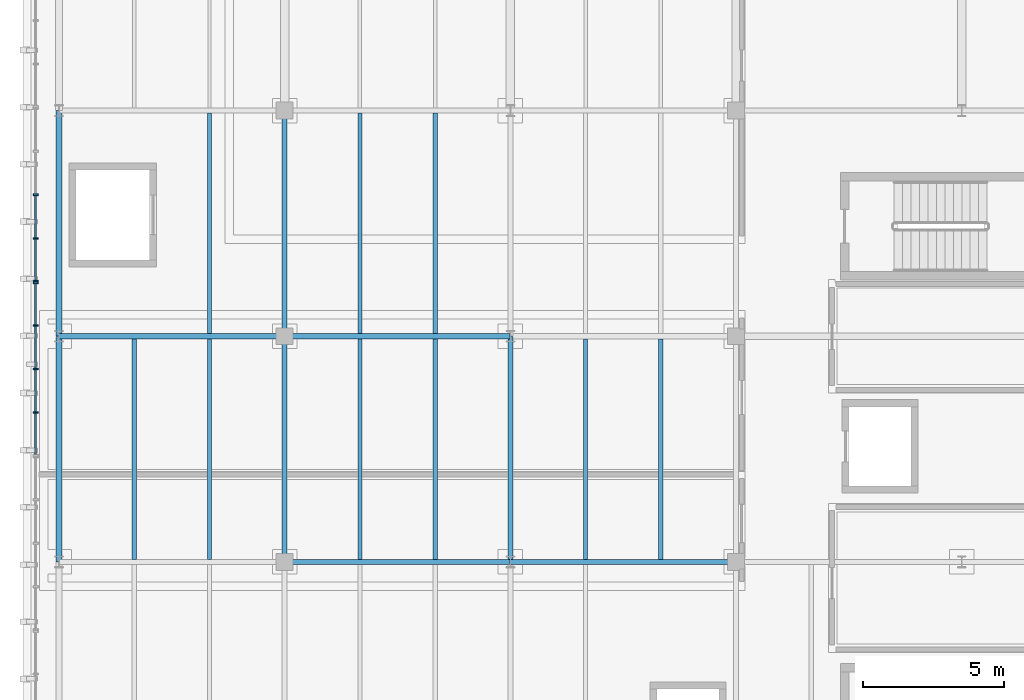
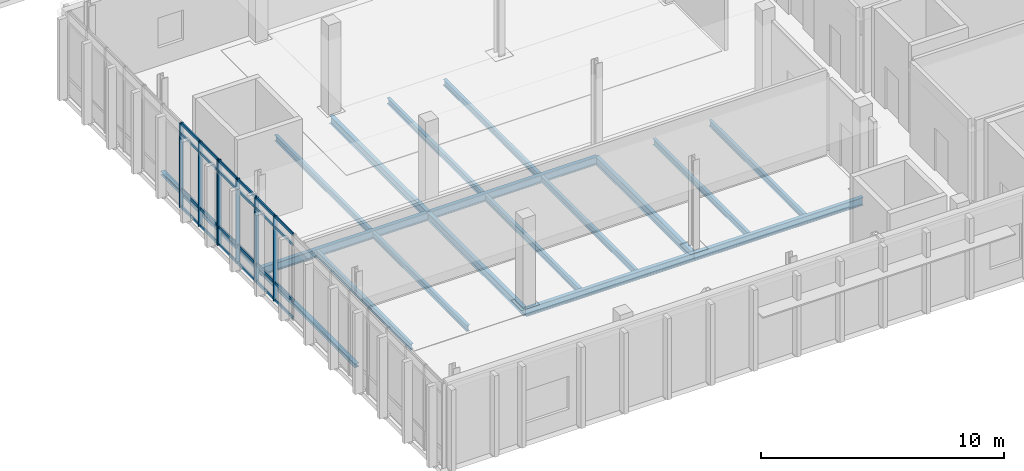
# One storey, part 17 of 86: 31 members, 18 beams, 2 elements without a shape of their own.
"""IFC4 building model written with IfcOpenShell, lengths in metres."""

from ifc_helpers import new_model, si_unit, direction, frame, origin, origin_2d, place, context, subcontext, project, spatial, rectangle, i_section, extrude, material, material_profile, profile_set, type_object, element, aggregate, save


model = new_model("IFC4")

# Units and contexts
model_context = context("Model", 3, precision=1e-05, world=origin(), true_north=direction((0.0, 1.0)))
body_context = subcontext(model_context, "Body", "Model", "MODEL_VIEW")
ifc_project = project(units=[si_unit("LENGTHUNIT", "METRE"), si_unit("AREAUNIT", "SQUARE_METRE"), si_unit("VOLUMEUNIT", "CUBIC_METRE"), si_unit("PLANEANGLEUNIT", "RADIAN"), si_unit("MASSUNIT", "GRAM", prefix="KILO")], contexts=[model_context])

# Site, building, storey
site_placement = place(None, origin())
site = spatial("IfcSite", under=ifc_project, at=site_placement, CompositionType="ELEMENT")
building_placement = place(site_placement, origin())
building = spatial("IfcBuilding", under=site, at=building_placement, Name="Cymarion Research Institute", CompositionType="ELEMENT")
storey_placement = place(building_placement, frame((0.0, 0.0, 13.800048828125)))
storey = spatial("IfcBuildingStorey", under=building, at=storey_placement, Name="L03", CompositionType="ELEMENT", Elevation=13.800048828125)

# Curtain wall, members
ifc_material_1 = material(Name="Anodised aluminium unitised curtain wall with Low-E glazing", Category="aluminium")
curtain_wall_type = type_object("IfcCurtainWallType", Name="UNITISED CURTAIN WALL CW22 6180X4250", PredefinedType="NOTDEFINED", material=ifc_material_1)
curtain_wall_1_placement = place(storey_placement, origin())
curtain_wall_1 = element("IfcCurtainWall", 1, at=curtain_wall_1_placement, inside=storey, type_object=curtain_wall_type, Name="L03 V4 unitised curtain wall CW22 #158", PredefinedType="NOTDEFINED")
ifc_material_2 = material(Name="Anodised aluminium framing", Category="aluminium")
ifc_material_profile_1 = material_profile(ifc_material_2, rectangle(XDim=0.06005859375, YDim=0.179931640625, at=origin_2d()), Name="ALU MULLION 60x180")
ifc_profile_set_1 = profile_set([ifc_material_profile_1], Name="Anodised aluminium framing")
member_type_1 = type_object("IfcMemberType", Name="CURTAIN WALL MULLION ML01 60X180", PredefinedType="MULLION", material=ifc_profile_set_1)
member_1_placement = place(storey_placement, frame((5.77001953125, 68.5146484375, 0.0), z_axis=(0.0, 0.0, 1.0), x_axis=(0.0, -1.0, 0.0)))
member_1 = element("IfcMember", 2, at=member_1_placement, type_object=member_type_1, Name="CW22 mullion 3", PredefinedType="MULLION", context=body_context, shape_type="SweptSolid", body=[
    extrude(rectangle(XDim=0.06005859375, YDim=0.179931640625, at=origin_2d()), origin(), (0.0, 0.0, 1.0), 4.25),
])
member_2_placement = place(storey_placement, frame((5.77001953125, 66.970703125, 0.0), z_axis=(0.0, 0.0, 1.0), x_axis=(0.0, -1.0, 0.0)))
member_2 = element("IfcMember", 3, at=member_2_placement, type_object=member_type_1, Name="CW22 mullion 4", PredefinedType="MULLION", context=body_context, shape_type="SweptSolid", body=[
    extrude(rectangle(XDim=0.06005859375, YDim=0.179931640625, at=origin_2d()), origin(), (0.0, 0.0, 1.0), 4.25),
])
member_3_placement = place(storey_placement, frame((5.77001953125, 65.456787109375, 0.0), z_axis=(0.0, 0.0, 1.0), x_axis=(0.0, -1.0, 0.0)))
member_3 = element("IfcMember", 4, at=member_3_placement, type_object=member_type_1, Name="CW22 mullion 5", PredefinedType="MULLION", context=body_context, shape_type="SweptSolid", body=[
    extrude(rectangle(XDim=0.06005859375, YDim=0.179931640625, at=origin_2d()), origin(), (0.0, 0.0, 1.0), 4.25),
])

curtain_wall_2_placement = place(storey_placement, origin())
curtain_wall_2 = element("IfcCurtainWall", 5, at=curtain_wall_2_placement, inside=storey, type_object=curtain_wall_type, Name="L03 V4 unitised curtain wall CW22 #159", PredefinedType="NOTDEFINED")
member_4_placement = place(storey_placement, frame((5.77001953125, 65.396728515625, 0.0), z_axis=(0.0, 0.0, 1.0), x_axis=(0.0, -1.0, 0.0)))
member_4 = element("IfcMember", 6, at=member_4_placement, type_object=member_type_1, Name="CW22 mullion 1", PredefinedType="MULLION", context=body_context, shape_type="SweptSolid", body=[
    extrude(rectangle(XDim=0.06005859375, YDim=0.179931640625, at=origin_2d()), origin(), (0.0, 0.0, 1.0), 4.25),
])
member_5_placement = place(storey_placement, frame((5.77001953125, 63.8828125, 0.0), z_axis=(0.0, 0.0, 1.0), x_axis=(0.0, -1.0, 0.0)))
member_5 = element("IfcMember", 7, at=member_5_placement, type_object=member_type_1, Name="CW22 mullion 2", PredefinedType="MULLION", context=body_context, shape_type="SweptSolid", body=[
    extrude(rectangle(XDim=0.06005859375, YDim=0.179931640625, at=origin_2d()), origin(), (0.0, 0.0, 1.0), 4.25),
])
member_6_placement = place(storey_placement, frame((5.77001953125, 62.339111328125, 0.0), z_axis=(0.0, 0.0, 1.0), x_axis=(0.0, -1.0, 0.0)))
member_6 = element("IfcMember", 8, at=member_6_placement, type_object=member_type_1, Name="CW22 mullion 3", PredefinedType="MULLION", context=body_context, shape_type="SweptSolid", body=[
    extrude(rectangle(XDim=0.06005859375, YDim=0.179931640625, at=origin_2d()), origin(), (0.0, 0.0, 1.0), 4.25),
])
member_7_placement = place(storey_placement, frame((5.77001953125, 60.795166015625, 0.0), z_axis=(0.0, 0.0, 1.0), x_axis=(0.0, -1.0, 0.0)))
member_7 = element("IfcMember", 9, at=member_7_placement, type_object=member_type_1, Name="CW22 mullion 4", PredefinedType="MULLION", context=body_context, shape_type="SweptSolid", body=[
    extrude(rectangle(XDim=0.06005859375, YDim=0.179931640625, at=origin_2d()), origin(), (0.0, 0.0, 1.0), 4.25),
])

# Member
ifc_material_profile_2 = material_profile(ifc_material_2, rectangle(XDim=0.06005859375, YDim=0.14990234375, at=origin_2d()), Name="ALU TRANSOM 60x150")
ifc_profile_set_2 = profile_set([ifc_material_profile_2], Name="Anodised aluminium framing")
member_type_2 = type_object("IfcMemberType", Name="CURTAIN WALL TRANSOM TR01 60X150", PredefinedType="USERDEFINED", material=ifc_profile_set_2)
member_8_placement = place(storey_placement, frame((5.77001953125, 68.484619140625, 0.030029296875), z_axis=(0.0, -1.0, 0.0), x_axis=(1.0, 0.0, 0.0)))
member_8 = element("IfcMember", 10, at=member_8_placement, type_object=member_type_2, Name="CW22 transom 3.1", ObjectType="TRANSOM", PredefinedType="USERDEFINED", context=body_context, shape_type="SweptSolid", body=[
    extrude(rectangle(XDim=0.06005859375, YDim=0.14990234375, at=origin_2d()), origin(), (0.0, 0.0, 1.0), 1.48388671875),
])

member_9_placement = place(storey_placement, frame((5.77001953125, 68.484619140625, 0.89990234375), z_axis=(0.0, -1.0, 0.0), x_axis=(1.0, 0.0, 0.0)))
member_9 = element("IfcMember", 11, at=member_9_placement, type_object=member_type_2, Name="CW22 transom 3.2", ObjectType="TRANSOM", PredefinedType="USERDEFINED", context=body_context, shape_type="SweptSolid", body=[
    extrude(rectangle(XDim=0.06005859375, YDim=0.14990234375, at=origin_2d()), origin(), (0.0, 0.0, 1.0), 1.48388671875),
])

member_10_placement = place(storey_placement, frame((5.77001953125, 68.484619140625, 3.699951171875), z_axis=(0.0, -1.0, 0.0), x_axis=(1.0, 0.0, 0.0)))
member_10 = element("IfcMember", 12, at=member_10_placement, type_object=member_type_2, Name="CW22 transom 3.3", ObjectType="TRANSOM", PredefinedType="USERDEFINED", context=body_context, shape_type="SweptSolid", body=[
    extrude(rectangle(XDim=0.06005859375, YDim=0.14990234375, at=origin_2d()), origin(), (0.0, 0.0, 1.0), 1.48388671875),
])

member_11_placement = place(storey_placement, frame((5.77001953125, 68.484619140625, 4.219970703125), z_axis=(0.0, -1.0, 0.0), x_axis=(1.0, 0.0, 0.0)))
member_11 = element("IfcMember", 13, at=member_11_placement, type_object=member_type_2, Name="CW22 transom 3.4", ObjectType="TRANSOM", PredefinedType="USERDEFINED", context=body_context, shape_type="SweptSolid", body=[
    extrude(rectangle(XDim=0.06005859375, YDim=0.14990234375, at=origin_2d()), origin(), (0.0, 0.0, 1.0), 1.48388671875),
])

member_12_placement = place(storey_placement, frame((5.77001953125, 66.940673828125, 0.030029296875), z_axis=(0.0, -1.0, 0.0), x_axis=(1.0, 0.0, 0.0)))
member_12 = element("IfcMember", 14, at=member_12_placement, type_object=member_type_2, Name="CW22 transom 4.1", ObjectType="TRANSOM", PredefinedType="USERDEFINED", context=body_context, shape_type="SweptSolid", body=[
    extrude(rectangle(XDim=0.06005859375, YDim=0.14990234375, at=origin_2d()), origin(), (0.0, 0.0, 1.0), 1.453857421875),
])

member_13_placement = place(storey_placement, frame((5.77001953125, 66.940673828125, 0.89990234375), z_axis=(0.0, -1.0, 0.0), x_axis=(1.0, 0.0, 0.0)))
member_13 = element("IfcMember", 15, at=member_13_placement, type_object=member_type_2, Name="CW22 transom 4.2", ObjectType="TRANSOM", PredefinedType="USERDEFINED", context=body_context, shape_type="SweptSolid", body=[
    extrude(rectangle(XDim=0.06005859375, YDim=0.14990234375, at=origin_2d()), origin(), (0.0, 0.0, 1.0), 1.453857421875),
])

member_14_placement = place(storey_placement, frame((5.77001953125, 66.940673828125, 3.699951171875), z_axis=(0.0, -1.0, 0.0), x_axis=(1.0, 0.0, 0.0)))
member_14 = element("IfcMember", 16, at=member_14_placement, type_object=member_type_2, Name="CW22 transom 4.3", ObjectType="TRANSOM", PredefinedType="USERDEFINED", context=body_context, shape_type="SweptSolid", body=[
    extrude(rectangle(XDim=0.06005859375, YDim=0.14990234375, at=origin_2d()), origin(), (0.0, 0.0, 1.0), 1.453857421875),
])

member_15_placement = place(storey_placement, frame((5.77001953125, 66.940673828125, 4.219970703125), z_axis=(0.0, -1.0, 0.0), x_axis=(1.0, 0.0, 0.0)))
member_15 = element("IfcMember", 17, at=member_15_placement, type_object=member_type_2, Name="CW22 transom 4.4", ObjectType="TRANSOM", PredefinedType="USERDEFINED", context=body_context, shape_type="SweptSolid", body=[
    extrude(rectangle(XDim=0.06005859375, YDim=0.14990234375, at=origin_2d()), origin(), (0.0, 0.0, 1.0), 1.453857421875),
])

aggregate(curtain_wall_1, [member_1, member_2, member_3, member_8, member_9, member_10, member_11, member_12, member_13, member_14, member_15])

member_16_placement = place(storey_placement, frame((5.77001953125, 65.36669921875, 0.030029296875), z_axis=(0.0, -1.0, 0.0), x_axis=(1.0, 0.0, 0.0)))
member_16 = element("IfcMember", 18, at=member_16_placement, type_object=member_type_2, Name="CW22 transom 1.1", ObjectType="TRANSOM", PredefinedType="USERDEFINED", context=body_context, shape_type="SweptSolid", body=[
    extrude(rectangle(XDim=0.06005859375, YDim=0.14990234375, at=origin_2d()), origin(), (0.0, 0.0, 1.0), 1.453857421875),
])

member_17_placement = place(storey_placement, frame((5.77001953125, 65.36669921875, 0.89990234375), z_axis=(0.0, -1.0, 0.0), x_axis=(1.0, 0.0, 0.0)))
member_17 = element("IfcMember", 19, at=member_17_placement, type_object=member_type_2, Name="CW22 transom 1.2", ObjectType="TRANSOM", PredefinedType="USERDEFINED", context=body_context, shape_type="SweptSolid", body=[
    extrude(rectangle(XDim=0.06005859375, YDim=0.14990234375, at=origin_2d()), origin(), (0.0, 0.0, 1.0), 1.453857421875),
])

member_18_placement = place(storey_placement, frame((5.77001953125, 65.36669921875, 3.699951171875), z_axis=(0.0, -1.0, 0.0), x_axis=(1.0, 0.0, 0.0)))
member_18 = element("IfcMember", 20, at=member_18_placement, type_object=member_type_2, Name="CW22 transom 1.3", ObjectType="TRANSOM", PredefinedType="USERDEFINED", context=body_context, shape_type="SweptSolid", body=[
    extrude(rectangle(XDim=0.06005859375, YDim=0.14990234375, at=origin_2d()), origin(), (0.0, 0.0, 1.0), 1.453857421875),
])

member_19_placement = place(storey_placement, frame((5.77001953125, 65.36669921875, 4.219970703125), z_axis=(0.0, -1.0, 0.0), x_axis=(1.0, 0.0, 0.0)))
member_19 = element("IfcMember", 21, at=member_19_placement, type_object=member_type_2, Name="CW22 transom 1.4", ObjectType="TRANSOM", PredefinedType="USERDEFINED", context=body_context, shape_type="SweptSolid", body=[
    extrude(rectangle(XDim=0.06005859375, YDim=0.14990234375, at=origin_2d()), origin(), (0.0, 0.0, 1.0), 1.453857421875),
])

member_20_placement = place(storey_placement, frame((5.77001953125, 63.852783203125, 0.030029296875), z_axis=(0.0, -1.0, 0.0), x_axis=(1.0, 0.0, 0.0)))
member_20 = element("IfcMember", 22, at=member_20_placement, type_object=member_type_2, Name="CW22 transom 2.1", ObjectType="TRANSOM", PredefinedType="USERDEFINED", context=body_context, shape_type="SweptSolid", body=[
    extrude(rectangle(XDim=0.06005859375, YDim=0.14990234375, at=origin_2d()), origin(), (0.0, 0.0, 1.0), 1.48388671875),
])

member_21_placement = place(storey_placement, frame((5.77001953125, 63.852783203125, 0.89990234375), z_axis=(0.0, -1.0, 0.0), x_axis=(1.0, 0.0, 0.0)))
member_21 = element("IfcMember", 23, at=member_21_placement, type_object=member_type_2, Name="CW22 transom 2.2", ObjectType="TRANSOM", PredefinedType="USERDEFINED", context=body_context, shape_type="SweptSolid", body=[
    extrude(rectangle(XDim=0.06005859375, YDim=0.14990234375, at=origin_2d()), origin(), (0.0, 0.0, 1.0), 1.48388671875),
])

member_22_placement = place(storey_placement, frame((5.77001953125, 63.852783203125, 3.699951171875), z_axis=(0.0, -1.0, 0.0), x_axis=(1.0, 0.0, 0.0)))
member_22 = element("IfcMember", 24, at=member_22_placement, type_object=member_type_2, Name="CW22 transom 2.3", ObjectType="TRANSOM", PredefinedType="USERDEFINED", context=body_context, shape_type="SweptSolid", body=[
    extrude(rectangle(XDim=0.06005859375, YDim=0.14990234375, at=origin_2d()), origin(), (0.0, 0.0, 1.0), 1.48388671875),
])

member_23_placement = place(storey_placement, frame((5.77001953125, 63.852783203125, 4.219970703125), z_axis=(0.0, -1.0, 0.0), x_axis=(1.0, 0.0, 0.0)))
member_23 = element("IfcMember", 25, at=member_23_placement, type_object=member_type_2, Name="CW22 transom 2.4", ObjectType="TRANSOM", PredefinedType="USERDEFINED", context=body_context, shape_type="SweptSolid", body=[
    extrude(rectangle(XDim=0.06005859375, YDim=0.14990234375, at=origin_2d()), origin(), (0.0, 0.0, 1.0), 1.48388671875),
])

member_24_placement = place(storey_placement, frame((5.77001953125, 62.30908203125, 0.030029296875), z_axis=(0.0, -1.0, 0.0), x_axis=(1.0, 0.0, 0.0)))
member_24 = element("IfcMember", 26, at=member_24_placement, type_object=member_type_2, Name="CW22 transom 3.1", ObjectType="TRANSOM", PredefinedType="USERDEFINED", context=body_context, shape_type="SweptSolid", body=[
    extrude(rectangle(XDim=0.06005859375, YDim=0.14990234375, at=origin_2d()), origin(), (0.0, 0.0, 1.0), 1.48388671875),
])

member_25_placement = place(storey_placement, frame((5.77001953125, 62.30908203125, 0.89990234375), z_axis=(0.0, -1.0, 0.0), x_axis=(1.0, 0.0, 0.0)))
member_25 = element("IfcMember", 27, at=member_25_placement, type_object=member_type_2, Name="CW22 transom 3.2", ObjectType="TRANSOM", PredefinedType="USERDEFINED", context=body_context, shape_type="SweptSolid", body=[
    extrude(rectangle(XDim=0.06005859375, YDim=0.14990234375, at=origin_2d()), origin(), (0.0, 0.0, 1.0), 1.48388671875),
])

member_26_placement = place(storey_placement, frame((5.77001953125, 62.30908203125, 3.699951171875), z_axis=(0.0, -1.0, 0.0), x_axis=(1.0, 0.0, 0.0)))
member_26 = element("IfcMember", 28, at=member_26_placement, type_object=member_type_2, Name="CW22 transom 3.3", ObjectType="TRANSOM", PredefinedType="USERDEFINED", context=body_context, shape_type="SweptSolid", body=[
    extrude(rectangle(XDim=0.06005859375, YDim=0.14990234375, at=origin_2d()), origin(), (0.0, 0.0, 1.0), 1.48388671875),
])

member_27_placement = place(storey_placement, frame((5.77001953125, 62.30908203125, 4.219970703125), z_axis=(0.0, -1.0, 0.0), x_axis=(1.0, 0.0, 0.0)))
member_27 = element("IfcMember", 29, at=member_27_placement, type_object=member_type_2, Name="CW22 transom 3.4", ObjectType="TRANSOM", PredefinedType="USERDEFINED", context=body_context, shape_type="SweptSolid", body=[
    extrude(rectangle(XDim=0.06005859375, YDim=0.14990234375, at=origin_2d()), origin(), (0.0, 0.0, 1.0), 1.48388671875),
])

member_28_placement = place(storey_placement, frame((5.77001953125, 60.76513671875, 0.030029296875), z_axis=(0.0, -1.0, 0.0), x_axis=(1.0, 0.0, 0.0)))
member_28 = element("IfcMember", 30, at=member_28_placement, type_object=member_type_2, Name="CW22 transom 4.1", ObjectType="TRANSOM", PredefinedType="USERDEFINED", context=body_context, shape_type="SweptSolid", body=[
    extrude(rectangle(XDim=0.06005859375, YDim=0.14990234375, at=origin_2d()), origin(), (0.0, 0.0, 1.0), 1.453857421875),
])

member_29_placement = place(storey_placement, frame((5.77001953125, 60.76513671875, 0.89990234375), z_axis=(0.0, -1.0, 0.0), x_axis=(1.0, 0.0, 0.0)))
member_29 = element("IfcMember", 31, at=member_29_placement, type_object=member_type_2, Name="CW22 transom 4.2", ObjectType="TRANSOM", PredefinedType="USERDEFINED", context=body_context, shape_type="SweptSolid", body=[
    extrude(rectangle(XDim=0.06005859375, YDim=0.14990234375, at=origin_2d()), origin(), (0.0, 0.0, 1.0), 1.453857421875),
])

member_30_placement = place(storey_placement, frame((5.77001953125, 60.76513671875, 3.699951171875), z_axis=(0.0, -1.0, 0.0), x_axis=(1.0, 0.0, 0.0)))
member_30 = element("IfcMember", 32, at=member_30_placement, type_object=member_type_2, Name="CW22 transom 4.3", ObjectType="TRANSOM", PredefinedType="USERDEFINED", context=body_context, shape_type="SweptSolid", body=[
    extrude(rectangle(XDim=0.06005859375, YDim=0.14990234375, at=origin_2d()), origin(), (0.0, 0.0, 1.0), 1.453857421875),
])

member_31_placement = place(storey_placement, frame((5.77001953125, 60.76513671875, 4.219970703125), z_axis=(0.0, -1.0, 0.0), x_axis=(1.0, 0.0, 0.0)))
member_31 = element("IfcMember", 33, at=member_31_placement, type_object=member_type_2, Name="CW22 transom 4.4", ObjectType="TRANSOM", PredefinedType="USERDEFINED", context=body_context, shape_type="SweptSolid", body=[
    extrude(rectangle(XDim=0.06005859375, YDim=0.14990234375, at=origin_2d()), origin(), (0.0, 0.0, 1.0), 1.453857421875),
])

aggregate(curtain_wall_2, [member_4, member_5, member_6, member_7, member_16, member_17, member_18, member_19, member_20, member_21, member_22, member_23, member_24, member_25, member_26, member_27, member_28, member_29, member_30, member_31])

# Beams
ifc_material_3 = material(Name="Steel S355", Category="steel")
ifc_material_profile_3 = material_profile(ifc_material_3, i_section(OverallWidth=0.179931640625, OverallDepth=0.39990234375, WebThickness=0.008544921875, FlangeThickness=0.013427734375, FilletRadius=0.02099609375, at=origin_2d()), Name="IPE 400")
ifc_profile_set_3 = profile_set([ifc_material_profile_3], Name="Steel S355")
beam_type_1 = type_object("IfcBeamType", Name="PRIMARY GIRDER BM05 IPE 400", PredefinedType="BEAM", material=ifc_profile_set_3)
for number, where, z_axis, x_axis, name in (
    (34, (14.60595703125, 55.5, -0.449951171875), (1.0, 0.0, 0.0), (0.0, 1.0, 0.0), "L03 V4 girder BM05 #1459"),
    (35, (22.60595703125, 55.5, -0.449951171875), (1.0, 0.0, 0.0), (0.0, 1.0, 0.0), "L03 V4 girder BM05 #1460"),
    (36, (6.60595703125, 63.5, -0.449951171875), (1.0, 0.0, 0.0), (0.0, 1.0, 0.0), "L03 V4 girder BM05 #1463"),
    (37, (14.60595703125, 63.5, -0.449951171875), (1.0, 0.0, 0.0), (0.0, 1.0, 0.0), "L03 V4 girder BM05 #1464"),
):
    element("IfcBeam", number, at=place(storey_placement, frame(where, z_axis=z_axis, x_axis=x_axis)), inside=storey, type_object=beam_type_1, Name=name, PredefinedType="BEAM", context=body_context, shape_type="SweptSolid", body=[
        extrude(i_section(OverallWidth=0.179931640625, OverallDepth=0.39990234375, WebThickness=0.008544921875, FlangeThickness=0.013427734375, FilletRadius=0.02099609375, at=origin_2d()), origin(), (0.0, 0.0, 1.0), 7.988037109375),
    ])
for number, where, z_axis, x_axis, name in (
    (38, (14.60009765625, 55.506103515625, -0.449951171875), (0.0, 1.0, 0.0), (-1.0, 0.0, 0.0), "L03 V4 girder BM05 #1483"),
    (39, (14.60009765625, 63.506103515625, -0.449951171875), (0.0, 1.0, 0.0), (-1.0, 0.0, 0.0), "L03 V4 girder BM05 #1484"),
    (40, (22.60009765625, 55.506103515625, -0.449951171875), (0.0, 1.0, 0.0), (-1.0, 0.0, 0.0), "L03 V4 girder BM05 #1487"),
):
    element("IfcBeam", number, at=place(storey_placement, frame(where, z_axis=z_axis, x_axis=x_axis)), inside=storey, type_object=beam_type_1, Name=name, PredefinedType="BEAM", context=body_context, shape_type="SweptSolid", body=[
        extrude(i_section(OverallWidth=0.179931640625, OverallDepth=0.39990234375, WebThickness=0.008544921875, FlangeThickness=0.013427734375, FilletRadius=0.02099609375, at=origin_2d()), origin(), (0.0, 0.0, 1.0), 7.98779296875),
    ])
ifc_material_profile_4 = material_profile(ifc_material_3, i_section(OverallWidth=0.14990234375, OverallDepth=0.300048828125, WebThickness=0.007080078125, FlangeThickness=0.0107421875, FilletRadius=0.014892578125, at=origin_2d()), Name="IPE 300")
ifc_profile_set_4 = profile_set([ifc_material_profile_4], Name="Steel S355")
beam_type_2 = type_object("IfcBeamType", Name="SECONDARY JOIST JS02 IPE 300", PredefinedType="JOIST", material=ifc_profile_set_4)
for number, where, z_axis, x_axis, name in (
    (41, (9.2666015625, 55.593994140625, -0.400146484375), (0.0, 1.0, 0.0), (-1.0, 0.0, 0.0), "L03 V4 secondary joist JS02 #1506"),
    (42, (11.933349609375, 55.593994140625, -0.400146484375), (0.0, 1.0, 0.0), (-1.0, 0.0, 0.0), "L03 V4 secondary joist JS02 #1507"),
    (43, (17.2666015625, 55.593994140625, -0.400146484375), (0.0, 1.0, 0.0), (-1.0, 0.0, 0.0), "L03 V4 secondary joist JS02 #1508"),
    (44, (19.933349609375, 55.593994140625, -0.400146484375), (0.0, 1.0, 0.0), (-1.0, 0.0, 0.0), "L03 V4 secondary joist JS02 #1509"),
    (45, (25.2666015625, 55.593994140625, -0.400146484375), (0.0, 1.0, 0.0), (-1.0, 0.0, 0.0), "L03 V4 secondary joist JS02 #1510"),
    (46, (27.933349609375, 55.593994140625, -0.400146484375), (0.0, 1.0, 0.0), (-1.0, 0.0, 0.0), "L03 V4 secondary joist JS02 #1511"),
    (47, (11.933349609375, 63.593994140625, -0.400146484375), (0.0, 1.0, 0.0), (-1.0, 0.0, 0.0), "L03 V4 secondary joist JS02 #1512"),
    (48, (17.2666015625, 63.593994140625, -0.400146484375), (0.0, 1.0, 0.0), (-1.0, 0.0, 0.0), "L03 V4 secondary joist JS02 #1513"),
    (49, (19.933349609375, 63.593994140625, -0.400146484375), (0.0, 1.0, 0.0), (-1.0, 0.0, 0.0), "L03 V4 secondary joist JS02 #1514"),
):
    element("IfcBeam", number, at=place(storey_placement, frame(where, z_axis=z_axis, x_axis=x_axis)), inside=storey, type_object=beam_type_2, Name=name, PredefinedType="JOIST", context=body_context, shape_type="SweptSolid", body=[
        extrude(i_section(OverallWidth=0.14990234375, OverallDepth=0.300048828125, WebThickness=0.007080078125, FlangeThickness=0.0107421875, FilletRadius=0.014892578125, at=origin_2d()), origin(), (0.0, 0.0, 1.0), 7.81201171875),
    ])
ifc_material_profile_5 = material_profile(ifc_material_3, i_section(OverallWidth=0.199951171875, OverallDepth=0.18994140625, WebThickness=0.006591796875, FlangeThickness=0.010009765625, FilletRadius=0.01806640625, at=origin_2d()), Name="HEA 200")
ifc_profile_set_5 = profile_set([ifc_material_profile_5], Name="Steel S355")
beam_type_3 = type_object("IfcBeamType", Name="SPANDREL BEAM SPB04 HEA 200", PredefinedType="SPANDREL", material=ifc_profile_set_5)
for number, where, z_axis, x_axis, name in (
    (50, (6.60009765625, 55.506103515625, -0.344970703125), (0.0, 1.0, 0.0), (-1.0, 0.0, 0.0), "L03 V4 girder SPB04 #1479"),
    (51, (6.60009765625, 63.506103515625, -0.344970703125), (0.0, 1.0, 0.0), (-1.0, 0.0, 0.0), "L03 V4 girder SPB04 #1480"),
):
    element("IfcBeam", number, at=place(storey_placement, frame(where, z_axis=z_axis, x_axis=x_axis)), inside=storey, type_object=beam_type_3, Name=name, PredefinedType="SPANDREL", context=body_context, shape_type="SweptSolid", body=[
        extrude(i_section(OverallWidth=0.199951171875, OverallDepth=0.18994140625, WebThickness=0.006591796875, FlangeThickness=0.010009765625, FilletRadius=0.01806640625, at=origin_2d()), origin(), (0.0, 0.0, 1.0), 7.98779296875),
    ])

save(model, "model.ifc")
